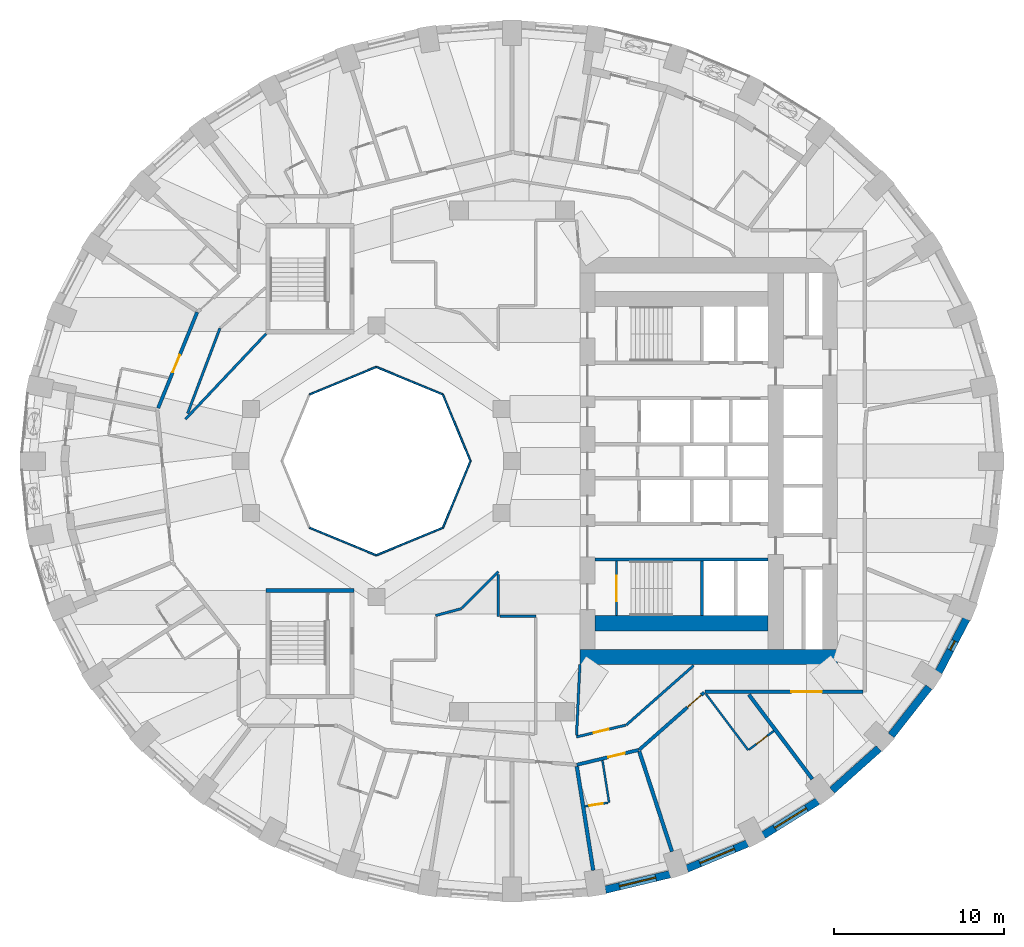
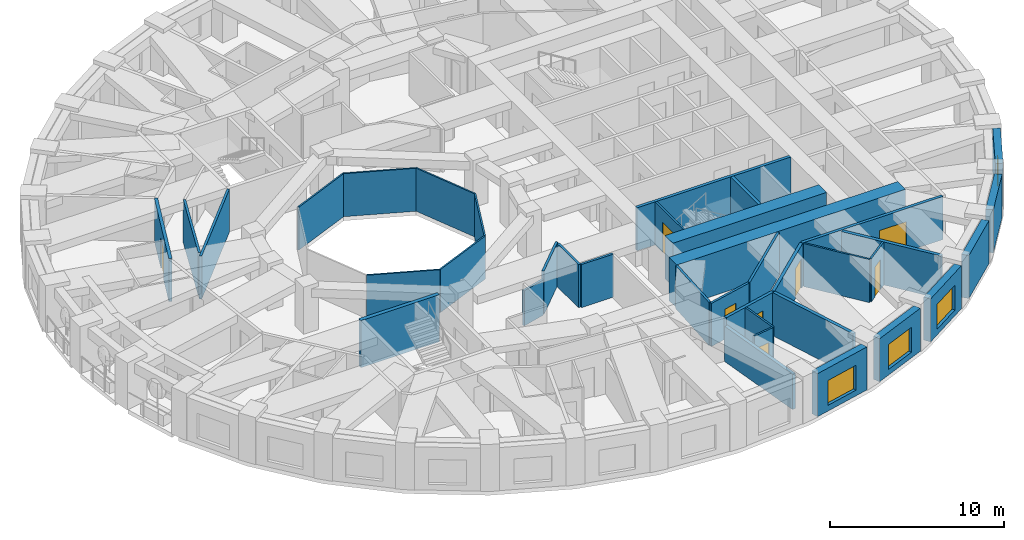
# One storey, part 5 of 13: 38 walls, 8 doors, 4 windows, 12 openings.
"""IFC4 building model written with IfcOpenShell, lengths in metres."""

from ifc_helpers import new_model, si_unit, direction, frame, frame_2d, origin, place, context, subcontext, project, spatial, rectangle, extrude, material, layer, layer_set, type_object, element, fill, save


model = new_model("IFC4")

# Units and contexts
model_context = context("Model", 3, precision=1e-05, world=origin(), true_north=direction((0.0, 1.0)))
body_context = subcontext(model_context, "Body", "Model", "MODEL_VIEW")
ifc_project = project(units=[si_unit("LENGTHUNIT", "METRE"), si_unit("AREAUNIT", "SQUARE_METRE"), si_unit("VOLUMEUNIT", "CUBIC_METRE"), si_unit("PLANEANGLEUNIT", "RADIAN"), si_unit("MASSUNIT", "GRAM", prefix="KILO")], contexts=[model_context])

# Site, building, storey
site_placement = place(None, origin())
site = spatial("IfcSite", under=ifc_project, at=site_placement, CompositionType="ELEMENT")
building_placement = place(site_placement, origin())
building = spatial("IfcBuilding", under=site, at=building_placement, Name="Taillehof Tower", CompositionType="ELEMENT")
storey_placement = place(building_placement, frame((0.0, 0.0, 64.60009765625)))
storey = spatial("IfcBuildingStorey", under=building, at=storey_placement, Name="L17", CompositionType="ELEMENT", Elevation=64.60009765625)

# Walls
ifc_material_1 = material(Name="Fire-resisting glass in steel frame", Category="steel")
ifc_layer_1 = layer(ifc_material_1, 0.10009765625)
ifc_layer_set_1 = layer_set([ifc_layer_1], Name="Atrium fire-resisting screen EI 60 100")
wall_type_1 = type_object("IfcWallType", Name="Atrium fire-resisting screen EI 60 100", PredefinedType="PARTITIONING", material=ifc_layer_set_1)
for number, where, z_axis, x_axis, name in (
    (1, (-2.44580078125, 0.0, 0.0), (0.0, 0.0, 1.0), (-0.382730523909, -0.923860025149, 0.0), "Atrium screen"),
    (2, (-4.07275390625, -3.92724609375, 0.0), (0.0, 0.0, 1.0), (-0.923860025149, -0.382730523909, 0.0), "Atrium screen"),
    (3, (-8.0, -5.55419921875, 0.0), (0.0, 0.0, 1.0), (-0.923860025149, 0.382730523909, 0.0), "Atrium screen"),
    (4, (-11.92724609375, 3.92724609375, 0.0), (0.0, 0.0, 1.0), (0.923860025149, 0.382730523909, 0.0), "Atrium screen"),
    (5, (-8.0, 5.55419921875, 0.0), (0.0, 0.0, 1.0), (0.923860025149, -0.382730523909, 0.0), "Atrium screen"),
    (6, (-4.07275390625, 3.92724609375, 0.0), (0.0, 0.0, 1.0), (0.382730523909, -0.923860025149, 0.0), "Atrium screen"),
):
    element("IfcWall", number, at=place(storey_placement, frame(where, z_axis=z_axis, x_axis=x_axis)), inside=storey, type_object=wall_type_1, Name=name, PredefinedType="PARTITIONING", context=body_context, shape_type="SweptSolid", body=[
        extrude(rectangle(XDim=4.2509765625, YDim=0.10009765625, at=frame_2d((2.12548828125, 0.0))), origin(), (0.0, 0.0, 1.0), 3.02001953125),
    ])

# Wall, opening, window
ifc_material_2 = material(Name="Brick masonry", Category="masonry")
ifc_layer_2 = layer(ifc_material_2, 0.449951171875)
ifc_layer_set_2 = layer_set([ifc_layer_2], Name="Brick infill wall 450")
wall_type_2 = type_object("IfcWallType", Name="Brick infill wall 450", PredefinedType="SOLIDWALL", material=ifc_layer_set_2)
wall_1_placement = place(storey_placement, frame((5.50439453125, -25.260498046875, 0.0), z_axis=(0.0, 0.0, 1.0), x_axis=(0.972496561493, 0.232917233979, 0.0)))
wall_1 = element("IfcWall", 7, at=wall_1_placement, inside=storey, type_object=wall_type_2, Name="Brick wall L17 bay 29", PredefinedType="SOLIDWALL", context=body_context, shape_type="SweptSolid", body=[
    extrude(rectangle(XDim=3.910888671875, YDim=0.449951171875, at=frame_2d((1.95556640625, 0.0))), origin(), (0.0, 0.0, 1.0), 3.02001953125),
])
opening_1_placement = place(wall_1_placement, frame((0.855224609375, 0.0, 0.39990234375)))
opening_1 = element("IfcOpeningElement", 8, at=opening_1_placement, cuts=wall_1, Name="Opening W1", PredefinedType="OPENING", context=body_context, shape_type="SweptSolid", body=[
    extrude(rectangle(XDim=2.199951171875, YDim=1.75, at=frame_2d((1.10009765625, 0.875))), frame((0.0, 0.23486328125, 0.0), z_axis=(0.0, -1.0, 0.0), x_axis=(1.0, 0.0, 0.0)), (0.0, 0.0, 1.0), 0.469970703125),
])
ifc_material_3 = material(Name="Aluminium window frame with clear double glazing", Category="aluminium")
window_type_1 = type_object("IfcWindowType", Name="Deep-set window 2200x1750", PartitioningType="SINGLE_PANEL", PredefinedType="WINDOW", material=ifc_material_3)
window_1_placement = place(opening_1_placement, origin())
window_1 = element("IfcWindow", 9, at=window_1_placement, inside=storey, type_object=window_type_1, Name="W1", OverallHeight=1.75, OverallWidth=2.199951171875, PartitioningType="SINGLE_PANEL", PredefinedType="WINDOW", context=body_context, shape_type="SweptSolid", body=[
    extrude(rectangle(XDim=2.199951171875, YDim=1.75, at=frame_2d((1.10009765625, 0.875))), frame((0.0, 0.034912109375, 0.0), z_axis=(0.0, -1.0, 0.0), x_axis=(1.0, 0.0, 0.0)), (0.0, 0.0, 1.0), 0.06005859375),
])
fill(opening_1, window_1)

wall_2_placement = place(storey_placement, frame((10.3154296875, -24.02099609375, 0.0), z_axis=(0.0, 0.0, 1.0), x_axis=(0.923031964282, 0.384723267966, 0.0)))
wall_2 = element("IfcWall", 10, at=wall_2_placement, inside=storey, type_object=wall_type_2, Name="Brick wall L17 bay 30", PredefinedType="SOLIDWALL", context=body_context, shape_type="SweptSolid", body=[
    extrude(rectangle(XDim=3.8564453125, YDim=0.449951171875, at=frame_2d((1.92822265625, 0.0))), origin(), (0.0, 0.0, 1.0), 3.02001953125),
])
opening_2_placement = place(wall_2_placement, frame((0.828125, 0.0, 0.39990234375)))
opening_2 = element("IfcOpeningElement", 11, at=opening_2_placement, cuts=wall_2, Name="Opening W1", PredefinedType="OPENING", context=body_context, shape_type="SweptSolid", body=[
    extrude(rectangle(XDim=2.199951171875, YDim=1.75, at=frame_2d((1.10009765625, 0.875))), frame((0.0, 0.23486328125, 0.0), z_axis=(0.0, -1.0, 0.0), x_axis=(1.0, 0.0, 0.0)), (0.0, 0.0, 1.0), 0.469970703125),
])
window_2_placement = place(opening_2_placement, origin())
window_2 = element("IfcWindow", 12, at=window_2_placement, inside=storey, type_object=window_type_1, Name="W1", OverallHeight=1.75, OverallWidth=2.199951171875, PartitioningType="SINGLE_PANEL", PredefinedType="WINDOW", context=body_context, shape_type="SweptSolid", body=[
    extrude(rectangle(XDim=2.199951171875, YDim=1.75, at=frame_2d((1.10009765625, 0.875))), frame((0.0, 0.034912109375, 0.0), z_axis=(0.0, -1.0, 0.0), x_axis=(1.0, 0.0, 0.0)), (0.0, 0.0, 1.0), 0.06005859375),
])
fill(opening_2, window_2)

wall_3_placement = place(storey_placement, frame((14.81689453125, -22.050537109375, 0.0), z_axis=(0.0, 0.0, 1.0), x_axis=(0.847635480093, 0.530579016629, 0.0)))
wall_3 = element("IfcWall", 13, at=wall_3_placement, inside=storey, type_object=wall_type_2, Name="Brick wall L17 bay 31", PredefinedType="SOLIDWALL", context=body_context, shape_type="SweptSolid", body=[
    extrude(rectangle(XDim=3.782470703125, YDim=0.449951171875, at=frame_2d((1.89111328125, 0.0))), origin(), (0.0, 0.0, 1.0), 3.02001953125),
])
opening_3_placement = place(wall_3_placement, frame((0.791259765625, 0.0, 0.39990234375)))
opening_3 = element("IfcOpeningElement", 14, at=opening_3_placement, cuts=wall_3, Name="Opening W1", PredefinedType="OPENING", context=body_context, shape_type="SweptSolid", body=[
    extrude(rectangle(XDim=2.199951171875, YDim=1.75, at=frame_2d((1.10009765625, 0.875))), frame((0.0, 0.23486328125, 0.0), z_axis=(0.0, -1.0, 0.0), x_axis=(1.0, 0.0, 0.0)), (0.0, 0.0, 1.0), 0.469970703125),
])
window_3_placement = place(opening_3_placement, origin())
window_3 = element("IfcWindow", 15, at=window_3_placement, inside=storey, type_object=window_type_1, Name="W1", OverallHeight=1.75, OverallWidth=2.199951171875, PartitioningType="SINGLE_PANEL", PredefinedType="WINDOW", context=body_context, shape_type="SweptSolid", body=[
    extrude(rectangle(XDim=2.199951171875, YDim=1.75, at=frame_2d((1.10009765625, 0.875))), frame((0.0, 0.034912109375, 0.0), z_axis=(0.0, -1.0, 0.0), x_axis=(1.0, 0.0, 0.0)), (0.0, 0.0, 1.0), 0.06005859375),
])
fill(opening_3, window_3)

# Walls
wall_4_placement = place(storey_placement, frame((18.87060546875, -19.406982421875, 0.0), z_axis=(0.0, 0.0, 1.0), x_axis=(0.745526233716, 0.66647628228, 0.0)))
element("IfcWall", 16, at=wall_4_placement, inside=storey, type_object=wall_type_2, Name="Brick wall L17 bay 32", PredefinedType="SOLIDWALL", context=body_context, shape_type="SweptSolid", body=[
    extrude(rectangle(XDim=3.69677734375, YDim=0.449951171875, at=frame_2d((1.848388671875, 0.0))), origin(), (0.0, 0.0, 1.0), 3.02001953125),
])
wall_5_placement = place(storey_placement, frame((22.3515625, -16.169677734375, 0.0), z_axis=(0.0, 0.0, 1.0), x_axis=(0.616661975264, 0.787228053529, 0.0)))
element("IfcWall", 17, at=wall_5_placement, inside=storey, type_object=wall_type_2, Name="Brick wall L17 bay 33", PredefinedType="SOLIDWALL", context=body_context, shape_type="SweptSolid", body=[
    extrude(rectangle(XDim=3.60986328125, YDim=0.449951171875, at=frame_2d((1.804931640625, 0.0))), origin(), (0.0, 0.0, 1.0), 3.02001953125),
])

# Wall, opening, window
wall_6_placement = place(storey_placement, frame((25.152099609375, -12.436767578125, 0.0), z_axis=(0.0, 0.0, 1.0), x_axis=(0.462492775226, 0.886623050041, 0.0)))
wall_6 = element("IfcWall", 18, at=wall_6_placement, inside=storey, type_object=wall_type_2, Name="Brick wall L17 bay 34", PredefinedType="SOLIDWALL", context=body_context, shape_type="SweptSolid", body=[
    extrude(rectangle(XDim=3.531982421875, YDim=0.449951171875, at=frame_2d((1.76611328125, 0.0))), origin(), (0.0, 0.0, 1.0), 3.02001953125),
])
opening_4_placement = place(wall_6_placement, frame((1.466064453125, 0.0, 0.39990234375)))
opening_4 = element("IfcOpeningElement", 19, at=opening_4_placement, cuts=wall_6, Name="Opening W6", PredefinedType="OPENING", context=body_context, shape_type="SweptSolid", body=[
    extrude(rectangle(XDim=0.60009765625, YDim=1.75, at=frame_2d((0.300048828125, 0.875))), frame((0.0, 0.23486328125, 0.0), z_axis=(0.0, -1.0, 0.0), x_axis=(1.0, 0.0, 0.0)), (0.0, 0.0, 1.0), 0.469970703125),
])
ifc_material_4 = material(Name="Aluminium window frame with clear double glazing", Category="aluminium")
window_type_2 = type_object("IfcWindowType", Name="Slot window 600x1750", PartitioningType="SINGLE_PANEL", PredefinedType="WINDOW", material=ifc_material_4)
window_4_placement = place(opening_4_placement, origin())
window_4 = element("IfcWindow", 20, at=window_4_placement, inside=storey, type_object=window_type_2, Name="W6", OverallHeight=1.75, OverallWidth=0.60009765625, PartitioningType="SINGLE_PANEL", PredefinedType="WINDOW", context=body_context, shape_type="SweptSolid", body=[
    extrude(rectangle(XDim=0.60009765625, YDim=1.75, at=frame_2d((0.300048828125, 0.875))), frame((0.0, 0.034912109375, 0.0), z_axis=(0.0, -1.0, 0.0), x_axis=(1.0, 0.0, 0.0)), (0.0, 0.0, 1.0), 0.06005859375),
])
fill(opening_4, window_4)

# Wall, opening, door
ifc_material_5 = material(Name="Gypsum board on steel studs, two layers each side", Category="steel")
ifc_layer_3 = layer(ifc_material_5, 0.199951171875)
ifc_layer_set_3 = layer_set([ifc_layer_3], Name="Compartment wall corridor 200")
wall_type_3 = type_object("IfcWallType", Name="Compartment wall corridor 200", PredefinedType="PARTITIONING", material=ifc_layer_set_3)
wall_7_placement = place(storey_placement, frame((20.699951171875, -13.60009765625, 0.0), z_axis=(0.0, 0.0, 1.0), x_axis=(-1.0, 0.0, 0.0)))
wall_7 = element("IfcWall", 21, at=wall_7_placement, inside=storey, type_object=wall_type_3, Name="Compartment wall", PredefinedType="PARTITIONING", context=body_context, shape_type="SweptSolid", body=[
    extrude(rectangle(XDim=9.3310546875, YDim=0.199951171875, at=frame_2d((4.66552734375, 0.0))), origin(), (0.0, 0.0, 1.0), 3.02001953125),
])
opening_5_placement = place(wall_7_placement, frame((2.436279296875, 0.0, 0.0)))
opening_5 = element("IfcOpeningElement", 22, at=opening_5_placement, cuts=wall_7, Name="Opening D1775", PredefinedType="OPENING", context=body_context, shape_type="SweptSolid", body=[
    extrude(rectangle(XDim=1.800048828125, YDim=2.10009765625, at=frame_2d((0.89990234375, 1.050048828125))), frame((0.0, 0.10986328125, 0.0), z_axis=(0.0, -1.0, 0.0), x_axis=(1.0, 0.0, 0.0)), (0.0, 0.0, 1.0), 0.219970703125),
])
ifc_material_6 = material(Name="Timber door leaf in steel frame", Category="steel")
door_type_1 = type_object("IfcDoorType", Name="Lounge and meeting room double door EI 30 1800 x 2100", OperationType="SINGLE_SWING_LEFT", PredefinedType="DOOR", material=ifc_material_6)
door_1_placement = place(opening_5_placement, origin())
door_1 = element("IfcDoor", 23, at=door_1_placement, inside=storey, type_object=door_type_1, Name="D1775", OperationType="DOUBLE_DOOR_SINGLE_SWING", OverallHeight=2.10009765625, OverallWidth=1.800048828125, PredefinedType="DOOR", context=body_context, shape_type="SweptSolid", body=[
    extrude(rectangle(XDim=1.800048828125, YDim=2.10009765625, at=frame_2d((0.89990234375, 1.050048828125))), frame((0.0, 0.02490234375, 0.0), z_axis=(0.0, -1.0, 0.0), x_axis=(1.0, 0.0, 0.0)), (0.0, 0.0, 1.0), 0.050048828125),
])
fill(opening_5, door_1)

wall_8_placement = place(storey_placement, frame((11.32421875, -13.6396484375, 0.0), z_axis=(0.0, 0.0, 1.0), x_axis=(-0.749661905767, -0.661820993201, 0.0)))
wall_8 = element("IfcWall", 24, at=wall_8_placement, inside=storey, type_object=wall_type_3, Name="Compartment wall", PredefinedType="PARTITIONING", context=body_context, shape_type="SweptSolid", body=[
    extrude(rectangle(XDim=5.102783203125, YDim=0.199951171875, at=frame_2d((2.55126953125, 0.0))), origin(), (0.0, 0.0, 1.0), 3.02001953125),
])
opening_6_placement = place(wall_8_placement, frame((0.219970703125, 0.0, 0.0)))
opening_6 = element("IfcOpeningElement", 25, at=opening_6_placement, cuts=wall_8, Name="Opening D1773", PredefinedType="OPENING", context=body_context, shape_type="SweptSolid", body=[
    extrude(rectangle(XDim=1.10009765625, YDim=2.10009765625, at=frame_2d((0.550048828125, 1.050048828125))), frame((0.0, 0.10986328125, 0.0), z_axis=(0.0, -1.0, 0.0), x_axis=(1.0, 0.0, 0.0)), (0.0, 0.0, 1.0), 0.219970703125),
])
ifc_material_7 = material(Name="Timber door leaf in steel frame", Category="steel")
door_type_2 = type_object("IfcDoorType", Name="Suite entrance door EI 30 1100 x 2100", OperationType="SINGLE_SWING_LEFT", PredefinedType="DOOR", material=ifc_material_7)
door_2_placement = place(opening_6_placement, origin())
door_2 = element("IfcDoor", 26, at=door_2_placement, inside=storey, type_object=door_type_2, Name="D1773", OperationType="SINGLE_SWING_LEFT", OverallHeight=2.10009765625, OverallWidth=1.10009765625, PredefinedType="DOOR", context=body_context, shape_type="SweptSolid", body=[
    extrude(rectangle(XDim=1.10009765625, YDim=2.10009765625, at=frame_2d((0.550048828125, 1.050048828125))), frame((0.0, 0.02490234375, 0.0), z_axis=(0.0, -1.0, 0.0), x_axis=(1.0, 0.0, 0.0)), (0.0, 0.0, 1.0), 0.050048828125),
])
fill(opening_6, door_2)

wall_9_placement = place(storey_placement, frame((7.459716796875, -17.026123046875, 0.0), z_axis=(0.0, 0.0, 1.0), x_axis=(-0.972358893616, -0.233491288928, 0.0)))
wall_9 = element("IfcWall", 27, at=wall_9_placement, inside=storey, type_object=wall_type_3, Name="Compartment wall", PredefinedType="PARTITIONING", context=body_context, shape_type="SweptSolid", body=[
    extrude(rectangle(XDim=3.745361328125, YDim=0.199951171875, at=frame_2d((1.87255859375, 0.0))), origin(), (0.0, 0.0, 1.0), 3.02001953125),
])
opening_7_placement = place(wall_9_placement, frame((0.838134765625, 0.0, 0.0)))
opening_7 = element("IfcOpeningElement", 28, at=opening_7_placement, cuts=wall_9, Name="Opening D1771", PredefinedType="OPENING", context=body_context, shape_type="SweptSolid", body=[
    extrude(rectangle(XDim=1.0, YDim=2.10009765625, at=frame_2d((0.5, 1.050048828125))), frame((0.0, 0.10986328125, 0.0), z_axis=(0.0, -1.0, 0.0), x_axis=(1.0, 0.0, 0.0)), (0.0, 0.0, 1.0), 0.219970703125),
])
ifc_material_8 = material(Name="Timber door leaf in steel frame", Category="steel")
door_type_3 = type_object("IfcDoorType", Name="Guest room door EI 30 1000 x 2100", OperationType="SINGLE_SWING_LEFT", PredefinedType="DOOR", material=ifc_material_8)
door_3_placement = place(opening_7_placement, origin())
door_3 = element("IfcDoor", 29, at=door_3_placement, inside=storey, type_object=door_type_3, Name="D1771", OperationType="SINGLE_SWING_RIGHT", OverallHeight=2.10009765625, OverallWidth=1.0, PredefinedType="DOOR", context=body_context, shape_type="SweptSolid", body=[
    extrude(rectangle(XDim=1.0, YDim=2.10009765625, at=frame_2d((0.5, 1.050048828125))), frame((0.0, 0.02490234375, 0.0), z_axis=(0.0, -1.0, 0.0), x_axis=(1.0, 0.0, 0.0)), (0.0, 0.0, 1.0), 0.050048828125),
])
fill(opening_7, door_3)

wall_10_placement = place(storey_placement, frame((-20.860595703125, 3.120849609375, 0.0), z_axis=(0.0, 0.0, 1.0), x_axis=(0.377214346955, 0.926125983034, 0.0)))
wall_10 = element("IfcWall", 30, at=wall_10_placement, inside=storey, type_object=wall_type_3, Name="Compartment wall", PredefinedType="PARTITIONING", context=body_context, shape_type="SweptSolid", body=[
    extrude(rectangle(XDim=6.107177734375, YDim=0.199951171875, at=frame_2d((3.0537109375, 0.0))), origin(), (0.0, 0.0, 1.0), 3.02001953125),
])
opening_8_placement = place(wall_10_placement, frame((2.284912109375, 0.0, 0.0)))
opening_8 = element("IfcOpeningElement", 31, at=opening_8_placement, cuts=wall_10, Name="Opening D1755", PredefinedType="OPENING", context=body_context, shape_type="SweptSolid", body=[
    extrude(rectangle(XDim=1.10009765625, YDim=2.10009765625, at=frame_2d((0.550048828125, 1.050048828125))), frame((0.0, 0.10986328125, 0.0), z_axis=(0.0, -1.0, 0.0), x_axis=(1.0, 0.0, 0.0)), (0.0, 0.0, 1.0), 0.219970703125),
])
door_4_placement = place(opening_8_placement, origin())
door_4 = element("IfcDoor", 32, at=door_4_placement, inside=storey, type_object=door_type_2, Name="D1755", OperationType="SINGLE_SWING_LEFT", OverallHeight=2.10009765625, OverallWidth=1.10009765625, PredefinedType="DOOR", context=body_context, shape_type="SweptSolid", body=[
    extrude(rectangle(XDim=1.10009765625, YDim=2.10009765625, at=frame_2d((0.550048828125, 1.050048828125))), frame((0.0, 0.02490234375, 0.0), z_axis=(0.0, -1.0, 0.0), x_axis=(1.0, 0.0, 0.0)), (0.0, 0.0, 1.0), 0.050048828125),
])
fill(opening_8, door_4)

# Walls
ifc_material_9 = material(Name="Gypsum board on double steel studs with mineral wool", Category="steel")
ifc_layer_4 = layer(ifc_material_9, 0.219970703125)
ifc_layer_set_4 = layer_set([ifc_layer_4], Name="Compartment wall guest room 220")
wall_type_4 = type_object("IfcWallType", Name="Compartment wall guest room 220", PredefinedType="PARTITIONING", material=ifc_layer_set_4)
wall_11_placement = place(storey_placement, frame((4.788330078125, -24.12548828125, 0.0), z_axis=(0.0, 0.0, 1.0), x_axis=(-0.156104021501, 0.987740621049, 0.0)))
element("IfcWall", 33, at=wall_11_placement, inside=storey, type_object=wall_type_4, Name="Compartment wall", PredefinedType="PARTITIONING", context=body_context, shape_type="SweptSolid", body=[
    extrude(rectangle(XDim=6.204345703125, YDim=0.219970703125, at=frame_2d((3.10205078125, 0.0))), origin(), (0.0, 0.0, 1.0), 2.469970703125),
])
wall_12_placement = place(storey_placement, frame((9.429443359375, -23.01416015625, 0.0), z_axis=(0.0, 0.0, 1.0), x_axis=(-0.310234080117, 0.950660199826, 0.0)))
element("IfcWall", 34, at=wall_12_placement, inside=storey, type_object=wall_type_4, Name="Compartment wall", PredefinedType="PARTITIONING", context=body_context, shape_type="SweptSolid", body=[
    extrude(rectangle(XDim=6.201904296875, YDim=0.219970703125, at=frame_2d((3.10107421875, 0.0))), origin(), (0.0, 0.0, 1.0), 3.02001953125),
])
wall_13_placement = place(storey_placement, frame((17.707763671875, -18.7431640625, 0.0), z_axis=(0.0, 0.0, 1.0), x_axis=(-0.601177883261, 0.799115231164, 0.0)))
element("IfcWall", 35, at=wall_13_placement, inside=storey, type_object=wall_type_4, Name="Compartment wall", PredefinedType="PARTITIONING", context=body_context, shape_type="SweptSolid", body=[
    extrude(rectangle(XDim=6.231201171875, YDim=0.219970703125, at=frame_2d((3.11572265625, 0.0))), origin(), (0.0, 0.0, 1.0), 3.02001953125),
])
ifc_material_10 = material(Name="Gypsum board on steel studs, two layers each side", Category="steel")
ifc_layer_5 = layer(ifc_material_10, 0.14990234375)
ifc_layer_set_5 = layer_set([ifc_layer_5], Name="Compartment wall service room 150")
wall_type_5 = type_object("IfcWallType", Name="Compartment wall service room 150", PredefinedType="PARTITIONING", material=ifc_layer_set_5)
wall_14_placement = place(storey_placement, frame((-14.499267578125, 7.500732421875, 0.0), z_axis=(0.0, 0.0, 1.0), x_axis=(-0.686403699782, -0.727220709913, 0.0)))
element("IfcWall", 36, at=wall_14_placement, inside=storey, type_object=wall_type_5, Name="Compartment wall", PredefinedType="PARTITIONING", context=body_context, shape_type="SweptSolid", body=[
    extrude(rectangle(XDim=6.91455078125, YDim=0.14990234375, at=frame_2d((3.457275390625, 0.0))), origin(), (0.0, 0.0, 1.0), 3.02001953125),
])
wall_15_placement = place(storey_placement, frame((-19.117919921875, 2.810791015625, 0.0), z_axis=(0.0, 0.0, 1.0), x_axis=(0.35451573991, 0.935050046872, 0.0)))
element("IfcWall", 37, at=wall_15_placement, inside=storey, type_object=wall_type_5, Name="Compartment wall", PredefinedType="PARTITIONING", context=body_context, shape_type="SweptSolid", body=[
    extrude(rectangle(XDim=5.367431640625, YDim=0.14990234375, at=frame_2d((2.68359375, 0.0))), origin(), (0.0, 0.0, 1.0), 3.02001953125),
])
wall_16_placement = place(storey_placement, frame((-4.5, -9.104248046875, 0.0), z_axis=(0.0, 0.0, 1.0), x_axis=(0.965938363316, 0.258772251746, 0.0)))
element("IfcWall", 38, at=wall_16_placement, inside=storey, type_object=wall_type_5, Name="Compartment wall", PredefinedType="PARTITIONING", context=body_context, shape_type="SweptSolid", body=[
    extrude(rectangle(XDim=1.57470703125, YDim=0.14990234375, at=frame_2d((0.787353515625, 0.0))), origin(), (0.0, 0.0, 1.0), 2.469970703125),
])
wall_17_placement = place(storey_placement, frame((-2.95068359375, -8.66845703125, 0.0), z_axis=(0.0, 0.0, 1.0), x_axis=(0.707106781187, 0.707106781187, 0.0)))
element("IfcWall", 39, at=wall_17_placement, inside=storey, type_object=wall_type_5, Name="Compartment wall", PredefinedType="PARTITIONING", context=body_context, shape_type="SweptSolid", body=[
    extrude(rectangle(XDim=3.04150390625, YDim=0.14990234375, at=frame_2d((1.520751953125, 0.0))), origin(), (0.0, 0.0, 1.0), 3.02001953125),
])
wall_18_placement = place(storey_placement, frame((-0.800048828125, -6.697998046875, 0.0), z_axis=(0.0, 0.0, 1.0), x_axis=(0.0, -1.0, 0.0)))
element("IfcWall", 40, at=wall_18_placement, inside=storey, type_object=wall_type_5, Name="Compartment wall", PredefinedType="PARTITIONING", context=body_context, shape_type="SweptSolid", body=[
    extrude(rectangle(XDim=2.451904296875, YDim=0.14990234375, at=frame_2d((1.22607421875, 0.0))), origin(), (0.0, 0.0, 1.0), 3.02001953125),
])
wall_19_placement = place(storey_placement, frame((-0.719970703125, -9.14990234375, 0.0), z_axis=(0.0, 0.0, 1.0), x_axis=(1.0, 0.0, 0.0)))
element("IfcWall", 41, at=wall_19_placement, inside=storey, type_object=wall_type_5, Name="Compartment wall", PredefinedType="PARTITIONING", context=body_context, shape_type="SweptSolid", body=[
    extrude(rectangle(XDim=2.119873046875, YDim=0.14990234375, at=frame_2d((1.06005859375, 0.0))), origin(), (0.0, 0.0, 1.0), 3.02001953125),
])
wall_20_placement = place(storey_placement, frame((10.7041015625, -12.052490234375, 0.0), z_axis=(0.0, 0.0, 1.0), x_axis=(-0.749630421232, -0.661856654846, 0.0)))
element("IfcWall", 42, at=wall_20_placement, inside=storey, type_object=wall_type_5, Name="Compartment wall", PredefinedType="PARTITIONING", context=body_context, shape_type="SweptSolid", body=[
    extrude(rectangle(XDim=5.290283203125, YDim=0.14990234375, at=frame_2d((2.64501953125, 0.0))), origin(), (0.0, 0.0, 1.0), 3.02001953125),
])

# Wall, opening, door
wall_21_placement = place(storey_placement, frame((6.69921875, -15.563232421875, 0.0), z_axis=(0.0, 0.0, 1.0), x_axis=(-0.972350126815, -0.233527794668, 0.0)))
wall_21 = element("IfcWall", 43, at=wall_21_placement, inside=storey, type_object=wall_type_5, Name="Compartment wall", PredefinedType="PARTITIONING", context=body_context, shape_type="SweptSolid", body=[
    extrude(rectangle(XDim=2.981689453125, YDim=0.14990234375, at=frame_2d((1.49072265625, 0.0))), origin(), (0.0, 0.0, 1.0), 3.02001953125),
])
opening_9_placement = place(wall_21_placement, frame((1.040771484375, 0.0, 0.0)))
opening_9 = element("IfcOpeningElement", 44, at=opening_9_placement, cuts=wall_21, Name="Opening D1782", PredefinedType="OPENING", context=body_context, shape_type="SweptSolid", body=[
    extrude(rectangle(XDim=0.89990234375, YDim=2.10009765625, at=frame_2d((0.449951171875, 1.050048828125))), frame((0.0, 0.0849609375, 0.0), z_axis=(0.0, -1.0, 0.0), x_axis=(1.0, 0.0, 0.0)), (0.0, 0.0, 1.0), 0.169921875),
])
ifc_material_11 = material(Name="Timber door leaf in steel frame", Category="steel")
door_type_4 = type_object("IfcDoorType", Name="Service room door EI 30 900 x 2100", OperationType="SINGLE_SWING_LEFT", PredefinedType="DOOR", material=ifc_material_11)
door_5_placement = place(opening_9_placement, origin())
door_5 = element("IfcDoor", 45, at=door_5_placement, inside=storey, type_object=door_type_4, Name="D1782", OperationType="SINGLE_SWING_LEFT", OverallHeight=2.10009765625, OverallWidth=0.89990234375, PredefinedType="DOOR", context=body_context, shape_type="SweptSolid", body=[
    extrude(rectangle(XDim=0.89990234375, YDim=2.10009765625, at=frame_2d((0.449951171875, 1.050048828125))), frame((0.0, 0.02490234375, 0.0), z_axis=(0.0, -1.0, 0.0), x_axis=(1.0, 0.0, 0.0)), (0.0, 0.0, 1.0), 0.050048828125),
])
fill(opening_9, door_5)

# Walls
wall_22_placement = place(storey_placement, frame((3.804931640625, -16.159423828125, 0.0), z_axis=(0.0, 0.0, 1.0), x_axis=(0.046832724682, 0.998902745966, 0.0)))
element("IfcWall", 46, at=wall_22_placement, inside=storey, type_object=wall_type_5, Name="Compartment wall", PredefinedType="PARTITIONING", context=body_context, shape_type="SweptSolid", body=[
    extrude(rectangle(XDim=4.165283203125, YDim=0.14990234375, at=frame_2d((2.08251953125, 0.0))), origin(), (0.0, 0.0, 1.0), 3.02001953125),
])
ifc_material_12 = material(Name="Concrete C80/95", Category="concrete")
ifc_layer_6 = layer(ifc_material_12, 0.89990234375)
ifc_layer_set_6 = layer_set([ifc_layer_6], Name="Core wall C80/95 900")
wall_type_6 = type_object("IfcWallType", Name="Core wall C80/95 900", PredefinedType="SHEAR", material=ifc_layer_set_6)
wall_23_placement = place(storey_placement, frame((4.0, -11.550048828125, 0.0), z_axis=(0.0, 0.0, 1.0), x_axis=(1.0, 0.0, 0.0)))
element("IfcWall", 47, at=wall_23_placement, inside=storey, type_object=wall_type_6, Name="Core wall CW04", PredefinedType="SHEAR", context=body_context, shape_type="SweptSolid", body=[
    extrude(rectangle(XDim=15.199951171875, YDim=0.89990234375, at=frame_2d((7.60009765625, 0.0))), origin(), (0.0, 0.0, 1.0), 3.02001953125),
])
wall_24_placement = place(storey_placement, frame((4.89990234375, -9.550048828125, 0.0), z_axis=(0.0, 0.0, 1.0), x_axis=(1.0, 0.0, 0.0)))
element("IfcWall", 48, at=wall_24_placement, inside=storey, type_object=wall_type_6, Name="Core wall CW07", PredefinedType="SHEAR", context=body_context, shape_type="SweptSolid", body=[
    extrude(rectangle(XDim=10.2001953125, YDim=0.89990234375, at=frame_2d((5.10009765625, 0.0))), origin(), (0.0, 0.0, 1.0), 3.02001953125),
])
ifc_material_13 = material(Name="Gypsum board on steel studs, moisture resistant", Category="steel")
ifc_layer_7 = layer(ifc_material_13, 0.1201171875)
ifc_layer_set_7 = layer_set([ifc_layer_7], Name="En-suite wall 120")
wall_type_7 = type_object("IfcWallType", Name="En-suite wall 120", PredefinedType="PARTITIONING", material=ifc_layer_set_7)
wall_25_placement = place(storey_placement, frame((5.332275390625, -17.639892578125, 0.0), z_axis=(0.0, 0.0, 1.0), x_axis=(0.156201560676, -0.987725200874, 0.0)))
element("IfcWall", 49, at=wall_25_placement, inside=storey, type_object=wall_type_7, Name="En-suite wall", PredefinedType="PARTITIONING", context=body_context, shape_type="SweptSolid", body=[
    extrude(rectangle(XDim=2.51806640625, YDim=0.1201171875, at=frame_2d((1.259033203125, 0.0))), origin(), (0.0, 0.0, 1.0), 3.02001953125),
])
wall_26_placement = place(storey_placement, frame((11.435302734375, -13.73193359375, 0.0), z_axis=(0.0, 0.0, 1.0), x_axis=(0.601141274104, -0.799142771079, 0.0)))
element("IfcWall", 50, at=wall_26_placement, inside=storey, type_object=wall_type_7, Name="En-suite wall", PredefinedType="PARTITIONING", context=body_context, shape_type="SweptSolid", body=[
    extrude(rectangle(XDim=4.13916015625, YDim=0.1201171875, at=frame_2d((2.069580078125, 0.0))), origin(), (0.0, 0.0, 1.0), 3.02001953125),
])

# Wall, opening, door
wall_27_placement = place(storey_placement, frame((5.666259765625, -20.13623046875, 0.0), z_axis=(0.0, 0.0, 1.0), x_axis=(-0.987722767831, -0.156216945011, 0.0)))
wall_27 = element("IfcWall", 51, at=wall_27_placement, inside=storey, type_object=wall_type_7, Name="En-suite wall", PredefinedType="PARTITIONING", context=body_context, shape_type="SweptSolid", body=[
    extrude(rectangle(XDim=1.3798828125, YDim=0.1201171875, at=frame_2d((0.68994140625, 0.0))), origin(), (0.0, 0.0, 1.0), 3.02001953125),
])
opening_10_placement = place(wall_27_placement, frame((0.31494140625, 0.0, 0.0)))
opening_10 = element("IfcOpeningElement", 52, at=opening_10_placement, cuts=wall_27, Name="Opening D1772", PredefinedType="OPENING", context=body_context, shape_type="SweptSolid", body=[
    extrude(rectangle(XDim=0.800048828125, YDim=2.10009765625, at=frame_2d((0.39990234375, 1.050048828125))), frame((0.0, 0.070068359375, 0.0), z_axis=(0.0, -1.0, 0.0), x_axis=(1.0, 0.0, 0.0)), (0.0, 0.0, 1.0), 0.14013671875),
])
ifc_material_14 = material(Name="Timber door leaf in steel frame", Category="steel")
door_type_5 = type_object("IfcDoorType", Name="En-suite door 800 x 2100", OperationType="SINGLE_SWING_LEFT", PredefinedType="DOOR", material=ifc_material_14)
door_6_placement = place(opening_10_placement, origin())
door_6 = element("IfcDoor", 53, at=door_6_placement, inside=storey, type_object=door_type_5, Name="D1772", OperationType="SINGLE_SWING_LEFT", OverallHeight=2.10009765625, OverallWidth=0.800048828125, PredefinedType="DOOR", context=body_context, shape_type="SweptSolid", body=[
    extrude(rectangle(XDim=0.800048828125, YDim=2.10009765625, at=frame_2d((0.39990234375, 1.050048828125))), frame((0.0, 0.02490234375, 0.0), z_axis=(0.0, -1.0, 0.0), x_axis=(1.0, 0.0, 0.0)), (0.0, 0.0, 1.0), 0.050048828125),
])
fill(opening_10, door_6)

wall_28_placement = place(storey_placement, frame((13.97119140625, -17.00390625, 0.0), z_axis=(0.0, 0.0, 1.0), x_axis=(0.799231057954, 0.60102388971, 0.0)))
wall_28 = element("IfcWall", 54, at=wall_28_placement, inside=storey, type_object=wall_type_7, Name="En-suite wall", PredefinedType="PARTITIONING", context=body_context, shape_type="SweptSolid", body=[
    extrude(rectangle(XDim=1.830322265625, YDim=0.1201171875, at=frame_2d((0.9150390625, 0.0))), origin(), (0.0, 0.0, 1.0), 3.02001953125),
])
opening_11_placement = place(wall_28_placement, frame((0.540283203125, 0.0, 0.0)))
opening_11 = element("IfcOpeningElement", 55, at=opening_11_placement, cuts=wall_28, Name="Opening D1774", PredefinedType="OPENING", context=body_context, shape_type="SweptSolid", body=[
    extrude(rectangle(XDim=0.800048828125, YDim=2.10009765625, at=frame_2d((0.39990234375, 1.050048828125))), frame((0.0, 0.070068359375, 0.0), z_axis=(0.0, -1.0, 0.0), x_axis=(1.0, 0.0, 0.0)), (0.0, 0.0, 1.0), 0.14013671875),
])
door_7_placement = place(opening_11_placement, origin())
door_7 = element("IfcDoor", 56, at=door_7_placement, inside=storey, type_object=door_type_5, Name="D1774", OperationType="SINGLE_SWING_LEFT", OverallHeight=2.10009765625, OverallWidth=0.800048828125, PredefinedType="DOOR", context=body_context, shape_type="SweptSolid", body=[
    extrude(rectangle(XDim=0.800048828125, YDim=2.10009765625, at=frame_2d((0.39990234375, 1.050048828125))), frame((0.0, 0.02490234375, 0.0), z_axis=(0.0, -1.0, 0.0), x_axis=(1.0, 0.0, 0.0)), (0.0, 0.0, 1.0), 0.050048828125),
])
fill(opening_11, door_7)

# Walls
ifc_material_15 = material(Name="Concrete C50/60", Category="concrete")
ifc_layer_8 = layer(ifc_material_15, 0.199951171875)
ifc_layer_set_8 = layer_set([ifc_layer_8], Name="Shaft wall C50/60 200")
wall_type_8 = type_object("IfcWallType", Name="Shaft wall C50/60 200", PredefinedType="SHEAR", material=ifc_layer_set_8)
wall_29_placement = place(storey_placement, frame((4.89990234375, -5.800048828125, 0.0), z_axis=(0.0, 0.0, 1.0), x_axis=(1.0, 0.0, 0.0)))
element("IfcWall", 57, at=wall_29_placement, inside=storey, type_object=wall_type_8, Name="Shaft wall SW", PredefinedType="SHEAR", context=body_context, shape_type="SweptSolid", body=[
    extrude(rectangle(XDim=10.2001953125, YDim=0.199951171875, at=frame_2d((5.10009765625, 0.0))), origin(), (0.0, 0.0, 1.0), 3.02001953125),
])
wall_30_placement = place(storey_placement, frame((11.199951171875, -9.10009765625, 0.0), z_axis=(0.0, 0.0, 1.0), x_axis=(0.0, 1.0, 0.0)))
element("IfcWall", 58, at=wall_30_placement, inside=storey, type_object=wall_type_8, Name="Shaft wall SW", PredefinedType="SHEAR", context=body_context, shape_type="SweptSolid", body=[
    extrude(rectangle(XDim=3.2001953125, YDim=0.199951171875, at=frame_2d((1.60009765625, 0.0))), origin(), (0.0, 0.0, 1.0), 3.02001953125),
])

# Wall, opening, door
ifc_material_16 = material(Name="Concrete C50/60", Category="concrete")
ifc_layer_9 = layer(ifc_material_16, 0.1201171875)
ifc_layer_set_9 = layer_set([ifc_layer_9], Name="Stair lobby wall C50/60 120")
wall_type_9 = type_object("IfcWallType", Name="Stair lobby wall C50/60 120", PredefinedType="SHEAR", material=ifc_layer_set_9)
wall_31_placement = place(storey_placement, frame((6.159912109375, -9.10009765625, 0.0), z_axis=(0.0, 0.0, 1.0), x_axis=(0.0, 1.0, 0.0)))
wall_31 = element("IfcWall", 59, at=wall_31_placement, inside=storey, type_object=wall_type_9, Name="Compartment wall SW", PredefinedType="SHEAR", context=body_context, shape_type="SweptSolid", body=[
    extrude(rectangle(XDim=3.2001953125, YDim=0.1201171875, at=frame_2d((1.60009765625, 0.0))), origin(), (0.0, 0.0, 1.0), 3.02001953125),
])
opening_12_placement = place(wall_31_placement, frame((0.85009765625, 0.0, 0.0)))
opening_12 = element("IfcOpeningElement", 60, at=opening_12_placement, cuts=wall_31, Name="Opening D1711", PredefinedType="OPENING", context=body_context, shape_type="SweptSolid", body=[
    extrude(rectangle(XDim=1.5, YDim=2.10009765625, at=frame_2d((0.75, 1.050048828125))), frame((0.0, 0.070068359375, 0.0), z_axis=(0.0, -1.0, 0.0), x_axis=(1.0, 0.0, 0.0)), (0.0, 0.0, 1.0), 0.14013671875),
])
ifc_material_17 = material(Name="Steel-faced fire door", Category="steel")
door_type_6 = type_object("IfcDoorType", Name="Stair door 1500x2100", OperationType="DOUBLE_DOOR_SINGLE_SWING", PredefinedType="DOOR", material=ifc_material_17)
door_8_placement = place(opening_12_placement, origin())
door_8 = element("IfcDoor", 61, at=door_8_placement, inside=storey, type_object=door_type_6, Name="Stair lobby door S2", OperationType="DOUBLE_DOOR_SINGLE_SWING", OverallHeight=2.10009765625, OverallWidth=1.5, PredefinedType="DOOR", context=body_context, shape_type="SweptSolid", body=[
    extrude(rectangle(XDim=1.5, YDim=2.10009765625, at=frame_2d((0.75, 1.050048828125))), frame((0.0, 0.02490234375, 0.0), z_axis=(0.0, -1.0, 0.0), x_axis=(1.0, 0.0, 0.0)), (0.0, 0.0, 1.0), 0.050048828125),
])
fill(opening_12, door_8)

# Wall
ifc_material_18 = material(Name="Concrete C50/60", Category="concrete")
ifc_layer_10 = layer(ifc_material_18, 0.25)
ifc_layer_set_10 = layer_set([ifc_layer_10], Name="Stair wall C50/60 250")
wall_type_10 = type_object("IfcWallType", Name="Stair wall C50/60 250", PredefinedType="SHEAR", material=ifc_layer_set_10)
wall_32_placement = place(storey_placement, frame((-14.5, -7.625, -0.280029296875), z_axis=(0.0, 0.0, 1.0), x_axis=(1.0, 0.0, 0.0)))
element("IfcWall", 62, at=wall_32_placement, inside=storey, type_object=wall_type_10, Name="Stair wall SC", PredefinedType="SHEAR", context=body_context, shape_type="SweptSolid", body=[
    extrude(rectangle(XDim=5.199951171875, YDim=0.25, at=frame_2d((2.60009765625, 0.0))), origin(), (0.0, 0.0, 1.0), 3.300048828125),
])

save(model, "model.ifc")
